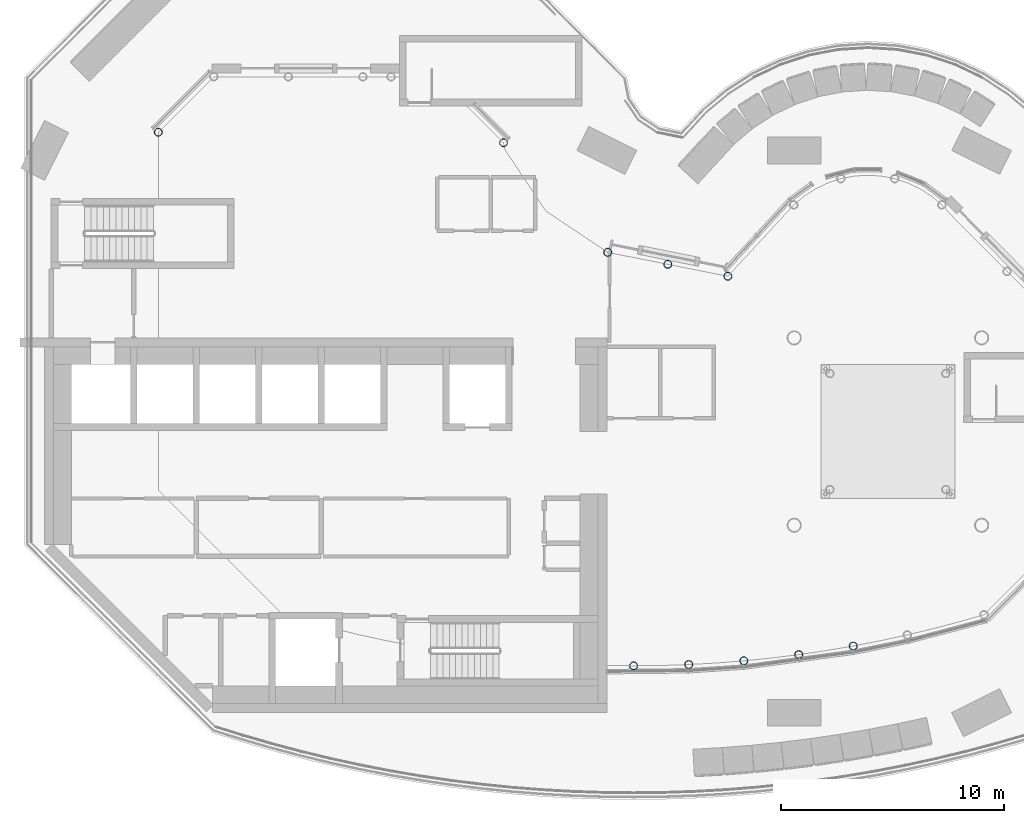
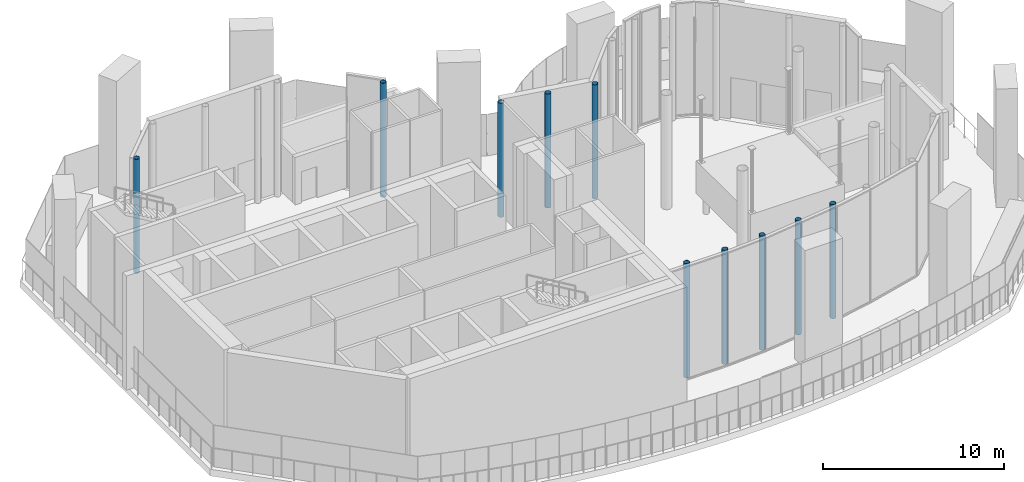
# One storey, part 1 of 14: 10 columns.
"""IFC4 building model written with IfcOpenShell, lengths in metres."""

from ifc_helpers import new_model, si_unit, direction, frame, origin, origin_2d, place, context, subcontext, project, spatial, hollow_circle, extrude, material, material_profile, profile_set, type_object, element, save


model = new_model("IFC4")

# Units and contexts
model_context = context("Model", 3, precision=1e-05, world=origin(), true_north=direction((0.0, 1.0)))
body_context = subcontext(model_context, "Body", "Model", "MODEL_VIEW")
ifc_project = project(units=[si_unit("LENGTHUNIT", "METRE"), si_unit("AREAUNIT", "SQUARE_METRE"), si_unit("VOLUMEUNIT", "CUBIC_METRE"), si_unit("PLANEANGLEUNIT", "RADIAN"), si_unit("MASSUNIT", "GRAM", prefix="KILO")], contexts=[model_context])

# Site, building, storey
site_placement = place(None, origin())
site = spatial("IfcSite", under=ifc_project, at=site_placement, CompositionType="ELEMENT")
building_placement = place(site_placement, origin())
building = spatial("IfcBuilding", under=site, at=building_placement, Name="Brevane Broadcast Tower", CompositionType="ELEMENT")
storey_placement = place(building_placement, frame((0.0, 0.0, 256.199951171875)))
storey = spatial("IfcBuildingStorey", under=building, at=storey_placement, Name="L65", CompositionType="ELEMENT", Elevation=256.199951171875)

# Columns
ifc_material = material(Name="Steel S355", Category="steel")
ifc_material_profile = material_profile(ifc_material, hollow_circle(Radius=0.177734375, WallThickness=0.012451171875, at=origin_2d()), Name="CHS 355.6x12.5")
ifc_profile_set = profile_set([ifc_material_profile], Name="Steel S355")
column_type = type_object("IfcColumnType", Name="STEEL ENCLOSURE POST CHS 355.6x12.5 S355", PredefinedType="COLUMN", material=ifc_profile_set)
for number, where, z_axis, x_axis, name in (
    (1, (5.10009765625, 26.0146484375, 0.0), (0.0, 0.0, 1.0), (1.0, 0.0, 0.0), "SP2 1"),
    (2, (20.5703125, 25.54443359375, 0.0), (0.0, 0.0, 1.0), (1.0, 0.0, 0.0), "SP2 6"),
    (3, (25.240478515625, 20.630859375, 0.0), (0.0, 0.0, 1.0), (1.0, 0.0, 0.0), "SP2 7"),
    (4, (27.93408203125, 20.094970703125, 0.0), (0.0, 0.0, 1.0), (1.0, 0.0, 0.0), "SP2 8"),
    (5, (30.627685546875, 19.559326171875, 0.0), (0.0, 0.0, 1.0), (1.0, 0.0, 0.0), "SP2 9"),
    (6, (36.24755859375, 2.988525390625, 0.0), (0.0, 0.0, 1.0), (1.0, 0.0, 0.0), "SP2 21"),
    (7, (33.80322265625, 2.6005859375, 0.0), (0.0, 0.0, 1.0), (1.0, 0.0, 0.0), "SP2 22"),
    (8, (31.34375, 2.322998046875, 0.0), (0.0, 0.0, 1.0), (1.0, 0.0, 0.0), "SP2 23"),
    (9, (28.87451171875, 2.156005859375, 0.0), (0.0, 0.0, 1.0), (1.0, 0.0, 0.0), "SP2 24"),
    (10, (26.39990234375, 2.100341796875, 0.0), (0.0, 0.0, 1.0), (1.0, 0.0, 0.0), "SP2 25"),
):
    element("IfcColumn", number, at=place(storey_placement, frame(where, z_axis=z_axis, x_axis=x_axis)), inside=storey, type_object=column_type, Name=name, PredefinedType="COLUMN", context=body_context, shape_type="SweptSolid", body=[
        extrude(hollow_circle(Radius=0.177734375, WallThickness=0.012451171875, at=origin_2d()), origin(), (0.0, 0.0, 1.0), 7.699951171875),
    ])

save(model, "model.ifc")
